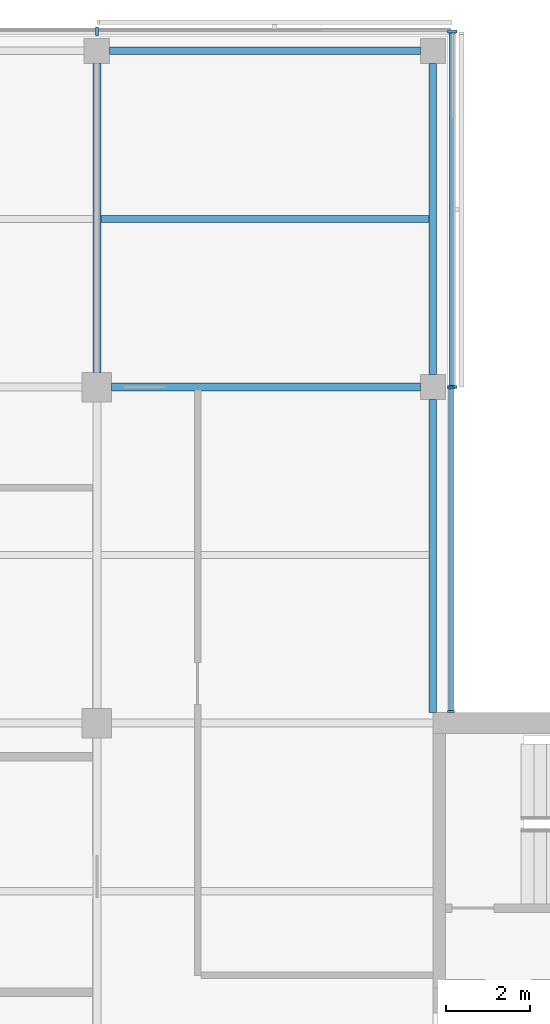
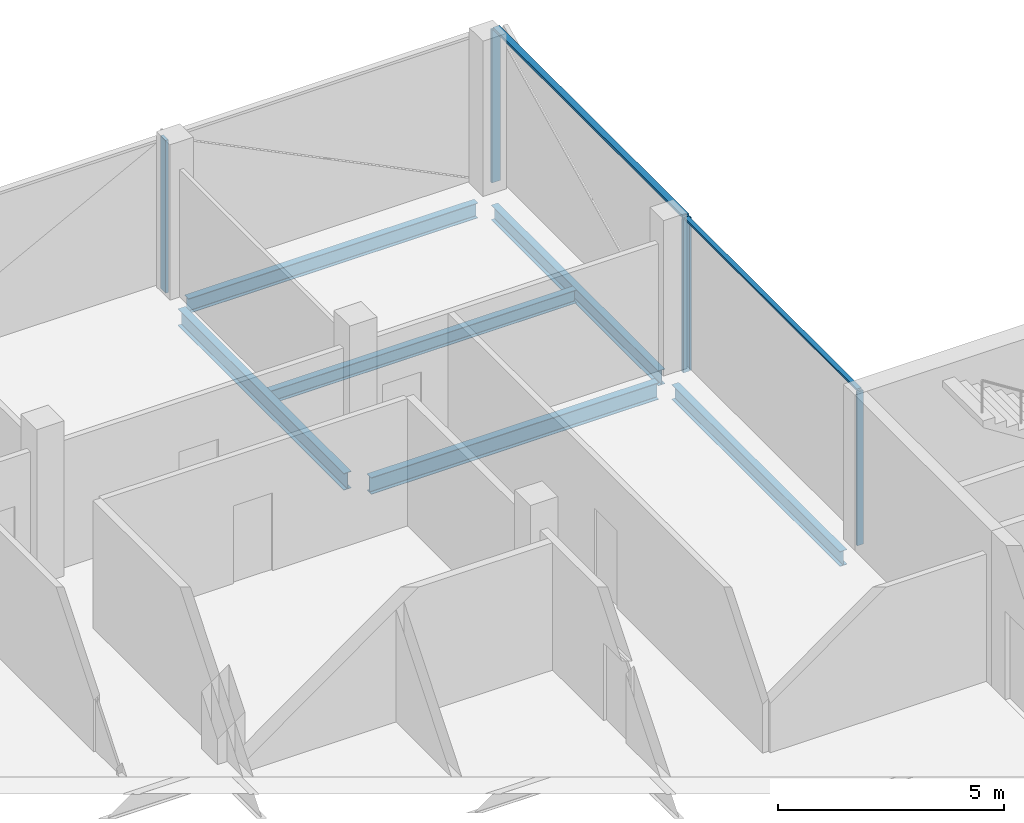
# One storey, part 7 of 16: 7 members, 6 beams, 3 elements without a shape of their own.
"""IFC4 building model written with IfcOpenShell, lengths in metres."""

from ifc_helpers import new_model, si_unit, direction, frame, origin, origin_2d, place, context, subcontext, project, spatial, rectangle, i_section, extrude, material, material_profile, profile_set, type_object, element, aggregate, save


model = new_model("IFC4")

# Units and contexts
model_context = context("Model", 3, precision=1e-05, world=origin(), true_north=direction((0.0, 1.0)))
body_context = subcontext(model_context, "Body", "Model", "MODEL_VIEW")
ifc_project = project(units=[si_unit("LENGTHUNIT", "METRE"), si_unit("AREAUNIT", "SQUARE_METRE"), si_unit("VOLUMEUNIT", "CUBIC_METRE"), si_unit("PLANEANGLEUNIT", "RADIAN"), si_unit("MASSUNIT", "GRAM", prefix="KILO")], contexts=[model_context])

# Site, building, storey
site_placement = place(None, origin())
site = spatial("IfcSite", under=ifc_project, at=site_placement, CompositionType="ELEMENT")
building_placement = place(site_placement, origin())
building = spatial("IfcBuilding", under=site, at=building_placement, Name="Crosswind Convention Tower", CompositionType="ELEMENT")
storey_placement = place(building_placement, frame((0.0, 0.0, 291.300048828125)))
storey = spatial("IfcBuildingStorey", under=building, at=storey_placement, Name="L63", CompositionType="ELEMENT", Elevation=291.300048828125)

# Beams
ifc_material_1 = material(Name="Steel S355", Category="steel")
ifc_material_profile_1 = material_profile(ifc_material_1, i_section(OverallWidth=0.177734375, OverallDepth=0.406494140625, WebThickness=0.0078125, FlangeThickness=0.0126953125, FilletRadius=0.01025390625, at=origin_2d()), Name="UB 406x178x60")
ifc_profile_set_1 = profile_set([ifc_material_profile_1], Name="Steel S355")
beam_type_1 = type_object("IfcBeamType", Name="Edge beam UB 406x178x60", PredefinedType="SPANDREL", material=ifc_profile_set_1)
beam_1_placement = place(storey_placement, frame((129.300048828125, 128.0, -0.503173828125), z_axis=(1.0, 0.0, 0.0), x_axis=(0.0, 1.0, 0.0)))
element("IfcBeam", 1, at=beam_1_placement, inside=storey, type_object=beam_type_1, Name="B15 L63 edge beam 10", PredefinedType="SPANDREL", context=body_context, shape_type="SweptSolid", body=[
    extrude(i_section(OverallWidth=0.177734375, OverallDepth=0.406494140625, WebThickness=0.0078125, FlangeThickness=0.0126953125, FilletRadius=0.01025390625, at=origin_2d()), origin(), (0.0, 0.0, 1.0), 7.39990234375),
])
beam_2_placement = place(storey_placement, frame((137.0, 112.25, -0.503173828125), z_axis=(0.0, 1.0, 0.0), x_axis=(-1.0, 0.0, 0.0)))
element("IfcBeam", 2, at=beam_2_placement, inside=storey, type_object=beam_type_1, Name="B15 L63 edge beam 13", PredefinedType="SPANDREL", context=body_context, shape_type="SweptSolid", body=[
    extrude(i_section(OverallWidth=0.177734375, OverallDepth=0.406494140625, WebThickness=0.0078125, FlangeThickness=0.0126953125, FilletRadius=0.01025390625, at=origin_2d()), origin(), (0.0, 0.0, 1.0), 7.449951171875),
])
beam_3_placement = place(storey_placement, frame((137.0, 120.300048828125, -0.503173828125), z_axis=(0.0, 1.0, 0.0), x_axis=(-1.0, 0.0, 0.0)))
element("IfcBeam", 3, at=beam_3_placement, inside=storey, type_object=beam_type_1, Name="B15 L63 edge beam 14", PredefinedType="SPANDREL", context=body_context, shape_type="SweptSolid", body=[
    extrude(i_section(OverallWidth=0.177734375, OverallDepth=0.406494140625, WebThickness=0.0078125, FlangeThickness=0.0126953125, FilletRadius=0.01025390625, at=origin_2d()), origin(), (0.0, 0.0, 1.0), 7.39990234375),
])
ifc_material_profile_2 = material_profile(ifc_material_1, i_section(OverallWidth=0.18994140625, OverallDepth=0.45361328125, WebThickness=0.008544921875, FlangeThickness=0.0126953125, FilletRadius=0.01025390625, at=origin_2d()), Name="UB 457x191x67")
ifc_profile_set_2 = profile_set([ifc_material_profile_2], Name="Steel S355")
beam_type_2 = type_object("IfcBeamType", Name="Girder UB 457x191x67", PredefinedType="BEAM", material=ifc_profile_set_2)
for number, where, z_axis, x_axis, name in (
    (4, (129.0, 120.35009765625, -0.52685546875), (0.0, 1.0, 0.0), (-1.0, 0.0, 0.0), "B1 L63 girder 22"),
    (5, (129.35009765625, 120.0, -0.52685546875), (1.0, 0.0, 0.0), (0.0, 1.0, 0.0), "B1 L63 girder 24"),
):
    element("IfcBeam", number, at=place(storey_placement, frame(where, z_axis=z_axis, x_axis=x_axis)), inside=storey, type_object=beam_type_2, Name=name, PredefinedType="BEAM", context=body_context, shape_type="SweptSolid", body=[
        extrude(i_section(OverallWidth=0.18994140625, OverallDepth=0.45361328125, WebThickness=0.008544921875, FlangeThickness=0.0126953125, FilletRadius=0.01025390625, at=origin_2d()), origin(), (0.0, 0.0, 1.0), 7.349853515625),
    ])

# Curtain wall, members
ifc_material_2 = material(Name="Aluminium unitised curtain wall", Category="aluminium")
curtain_wall_type_1 = type_object("IfcCurtainWallType", Name="CORE END SLOT WALL 160", PredefinedType="USERDEFINED", material=ifc_material_2)
curtain_wall_1_placement = place(storey_placement, origin())
curtain_wall_1 = element("IfcCurtainWall", 6, at=curtain_wall_1_placement, inside=storey, type_object=curtain_wall_type_1, Name="CW6 L63 N-E.1-1 slot", ObjectType="UNITISED", PredefinedType="USERDEFINED")
ifc_material_3 = material(Name="Aluminium mullion", Category="aluminium")
ifc_material_profile_3 = material_profile(ifc_material_3, rectangle(XDim=0.159912109375, YDim=0.050048828125, at=origin_2d()), Name="AL 160X50")
ifc_profile_set_3 = profile_set([ifc_material_profile_3], Name="Aluminium mullion")
member_type_1 = type_object("IfcMemberType", Name="MULLION 50X160", PredefinedType="MULLION", material=ifc_profile_set_3)
member_1_placement = place(storey_placement, frame((137.429931640625, 112.27490234375, -0.300048828125), z_axis=(0.0, 0.0, 1.0), x_axis=(1.0, 0.0, 0.0)))
member_1 = element("IfcMember", 7, at=member_1_placement, type_object=member_type_1, Name="CW6 mullion 1", PredefinedType="MULLION", context=body_context, shape_type="SweptSolid", body=[
    extrude(rectangle(XDim=0.159912109375, YDim=0.050048828125, at=origin_2d()), origin(), (0.0, 0.0, 1.0), 4.14990234375),
])
member_2_placement = place(storey_placement, frame((137.429931640625, 119.97509765625, -0.300048828125), z_axis=(0.0, 0.0, 1.0), x_axis=(1.0, 0.0, 0.0)))
member_2 = element("IfcMember", 8, at=member_2_placement, type_object=member_type_1, Name="CW6 mullion 2", PredefinedType="MULLION", context=body_context, shape_type="SweptSolid", body=[
    extrude(rectangle(XDim=0.159912109375, YDim=0.050048828125, at=origin_2d()), origin(), (0.0, 0.0, 1.0), 4.14990234375),
])

curtain_wall_type_2 = type_object("IfcCurtainWallType", Name="OFFICE UNITISED WALL 220", PredefinedType="USERDEFINED", material=ifc_material_2)
curtain_wall_2_placement = place(storey_placement, origin())
curtain_wall_2 = element("IfcCurtainWall", 9, at=curtain_wall_2_placement, inside=storey, type_object=curtain_wall_type_2, Name="CW3 L63 N-E 1", ObjectType="UNITISED", PredefinedType="USERDEFINED")
ifc_material_profile_4 = material_profile(ifc_material_3, rectangle(XDim=0.219970703125, YDim=0.070068359375, at=origin_2d()), Name="AL 220X70")
ifc_profile_set_4 = profile_set([ifc_material_profile_4], Name="Aluminium mullion")
member_type_2 = type_object("IfcMemberType", Name="MULLION 70X220", PredefinedType="MULLION", material=ifc_profile_set_4)
member_3_placement = place(storey_placement, frame((137.4599609375, 120.0, -0.300048828125), z_axis=(0.0, 0.0, 1.0), x_axis=(1.0, 0.0, 0.0)))
member_3 = element("IfcMember", 10, at=member_3_placement, type_object=member_type_2, Name="CW3 mullion 1", PredefinedType="MULLION", context=body_context, shape_type="SweptSolid", body=[
    extrude(rectangle(XDim=0.219970703125, YDim=0.070068359375, at=origin_2d()), origin(), (0.0, 0.0, 1.0), 4.1298828125),
])
member_4_placement = place(storey_placement, frame((137.4599609375, 128.4599609375, -0.300048828125), z_axis=(0.0, 0.0, 1.0), x_axis=(1.0, 0.0, 0.0)))
member_4 = element("IfcMember", 11, at=member_4_placement, type_object=member_type_2, Name="CW3 mullion 2", PredefinedType="MULLION", context=body_context, shape_type="SweptSolid", body=[
    extrude(rectangle(XDim=0.219970703125, YDim=0.070068359375, at=origin_2d()), origin(), (0.0, 0.0, 1.0), 4.1298828125),
])

# Curtain wall, member
curtain_wall_3_placement = place(storey_placement, origin())
curtain_wall_3 = element("IfcCurtainWall", 12, at=curtain_wall_3_placement, inside=storey, type_object=curtain_wall_type_2, Name="CW3 L63 N-TIP 1", ObjectType="UNITISED", PredefinedType="USERDEFINED")
member_5_placement = place(storey_placement, frame((129.0, 128.4599609375, -0.300048828125), z_axis=(0.0, 0.0, 1.0), x_axis=(0.0, 1.0, 0.0)))
member_5 = element("IfcMember", 13, at=member_5_placement, type_object=member_type_2, Name="CW3 mullion 2", PredefinedType="MULLION", context=body_context, shape_type="SweptSolid", body=[
    extrude(rectangle(XDim=0.219970703125, YDim=0.070068359375, at=origin_2d()), origin(), (0.0, 0.0, 1.0), 4.1298828125),
])
aggregate(curtain_wall_3, [member_5])

# Beam
ifc_material_profile_5 = material_profile(ifc_material_1, i_section(OverallWidth=0.17138671875, OverallDepth=0.355712890625, WebThickness=0.00732421875, FlangeThickness=0.011474609375, FilletRadius=0.01025390625, at=origin_2d()), Name="UB 356x171x51")
ifc_profile_set_5 = profile_set([ifc_material_profile_5], Name="Steel S355")
beam_type_3 = type_object("IfcBeamType", Name="Secondary beam UB 356x171x51", PredefinedType="JOIST", material=ifc_profile_set_5)
beam_4_placement = place(storey_placement, frame((129.094970703125, 124.0, -0.477783203125), z_axis=(1.0, 0.0, 0.0), x_axis=(0.0, 1.0, 0.0)))
element("IfcBeam", 14, at=beam_4_placement, inside=storey, type_object=beam_type_3, Name="B8 L63 secondary beam 21", PredefinedType="JOIST", context=body_context, shape_type="SweptSolid", body=[
    extrude(i_section(OverallWidth=0.17138671875, OverallDepth=0.355712890625, WebThickness=0.00732421875, FlangeThickness=0.011474609375, FilletRadius=0.01025390625, at=origin_2d()), origin(), (0.0, 0.0, 1.0), 7.816162109375),
])

# Member
ifc_material_4 = material(Name="Aluminium transom", Category="aluminium")
ifc_material_profile_6 = material_profile(ifc_material_4, rectangle(XDim=0.1201171875, YDim=0.050048828125, at=origin_2d()), Name="AL 120X50")
ifc_profile_set_6 = profile_set([ifc_material_profile_6], Name="Aluminium transom")
member_type_3 = type_object("IfcMemberType", Name="TRANSOM 50X120", PredefinedType="USERDEFINED", material=ifc_profile_set_6)
member_6_placement = place(storey_placement, frame((137.429931640625, 112.300048828125, 3.875), z_axis=(0.0, 1.0, 0.0), x_axis=(-1.0, 0.0, 0.0)))
member_6 = element("IfcMember", 15, at=member_6_placement, type_object=member_type_3, Name="CW6 transom", ObjectType="TRANSOM", PredefinedType="USERDEFINED", context=body_context, shape_type="SweptSolid", body=[
    extrude(rectangle(XDim=0.1201171875, YDim=0.050048828125, at=origin_2d()), origin(), (0.0, 0.0, 1.0), 7.64990234375),
])

aggregate(curtain_wall_1, [member_1, member_2, member_6])

ifc_material_profile_7 = material_profile(ifc_material_4, rectangle(XDim=0.159912109375, YDim=0.070068359375, at=origin_2d()), Name="AL 160X70")
ifc_profile_set_7 = profile_set([ifc_material_profile_7], Name="Aluminium transom")
member_type_4 = type_object("IfcMemberType", Name="TRANSOM 70X160", PredefinedType="USERDEFINED", material=ifc_profile_set_7)
member_7_placement = place(storey_placement, frame((137.4599609375, 120.034912109375, 3.864990234375), z_axis=(0.0, 1.0, 0.0), x_axis=(-1.0, 0.0, 0.0)))
member_7 = element("IfcMember", 16, at=member_7_placement, type_object=member_type_4, Name="CW3 transom", ObjectType="TRANSOM", PredefinedType="USERDEFINED", context=body_context, shape_type="SweptSolid", body=[
    extrude(rectangle(XDim=0.159912109375, YDim=0.070068359375, at=origin_2d()), origin(), (0.0, 0.0, 1.0), 8.39013671875),
])

aggregate(curtain_wall_2, [member_3, member_4, member_7])

save(model, "model.ifc")
